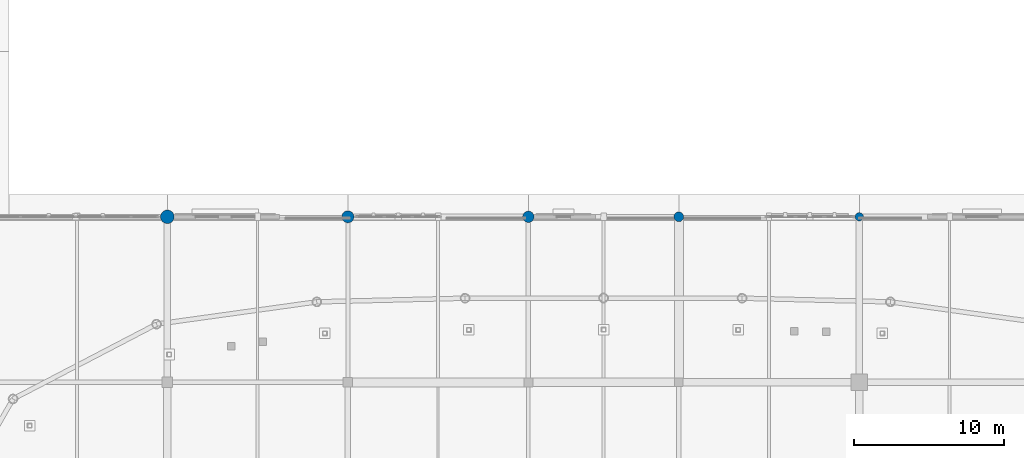
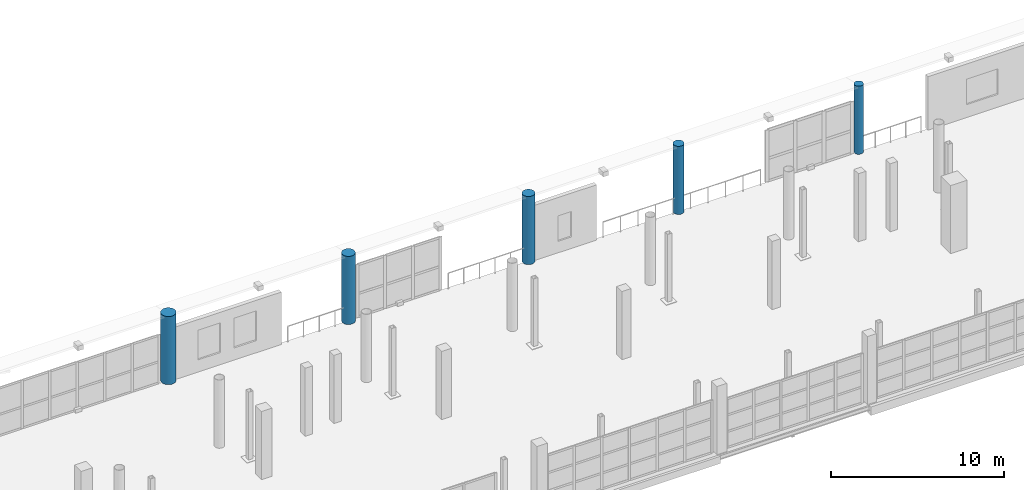
# One storey, part 13 of 143: 5 columns.
"""IFC4 building model written with IfcOpenShell, lengths in metres."""

from ifc_helpers import new_model, si_unit, direction, frame, origin, origin_2d, place, context, subcontext, project, spatial, circle, extrude, material, material_profile, profile_set, type_object, element, save


model = new_model("IFC4")

# Units and contexts
model_context = context("Model", 3, precision=1e-05, world=origin(), true_north=direction((0.0, 1.0)))
body_context = subcontext(model_context, "Body", "Model", "MODEL_VIEW")
ifc_project = project(units=[si_unit("LENGTHUNIT", "METRE"), si_unit("AREAUNIT", "SQUARE_METRE"), si_unit("VOLUMEUNIT", "CUBIC_METRE"), si_unit("PLANEANGLEUNIT", "RADIAN"), si_unit("MASSUNIT", "GRAM", prefix="KILO")], contexts=[model_context])

# Site, building, storey
site_placement = place(None, origin())
site = spatial("IfcSite", under=ifc_project, at=site_placement, CompositionType="ELEMENT")
building_placement = place(site_placement, origin())
building = spatial("IfcBuilding", under=site, at=building_placement, Name="Luwafu Chhajja Arena", CompositionType="ELEMENT")
storey_placement = place(building_placement, frame((0.0, 0.0, 5.39990234375)))
storey = spatial("IfcBuildingStorey", under=building, at=storey_placement, Name="L01", CompositionType="ELEMENT", Elevation=5.39990234375)

# Columns
ifc_material_1 = material(Name="Concrete C35/45", Category="concrete")
ifc_material_profile_1 = material_profile(ifc_material_1, circle(Radius=0.375, at=origin_2d()), Name="RC COL D750")
ifc_profile_set_1 = profile_set([ifc_material_profile_1], Name="Concrete C35/45")
column_type_1 = type_object("IfcColumnType", Name="Charbagh Cloister Pier D750", PredefinedType="COLUMN", material=ifc_profile_set_1)
column_1_placement = place(storey_placement, frame((94.0, 99.0, 0.0), z_axis=(0.0, 0.0, 1.0), x_axis=(1.0, 0.0, 0.0)))
element("IfcColumn", 1, at=column_1_placement, inside=storey, type_object=column_type_1, Name="L01 Grid Column 9/K", PredefinedType="COLUMN", context=body_context, shape_type="SweptSolid", body=[
    extrude(circle(Radius=0.375, at=origin_2d()), origin(), (0.0, 0.0, 1.0), 4.800048828125),
])
ifc_material_profile_2 = material_profile(ifc_material_1, circle(Radius=0.324951171875, at=origin_2d()), Name="RC COL D650")
ifc_profile_set_2 = profile_set([ifc_material_profile_2], Name="Concrete C35/45")
column_type_2 = type_object("IfcColumnType", Name="Courtyard Arcade Pier D650", PredefinedType="COLUMN", material=ifc_profile_set_2)
column_2_placement = place(storey_placement, frame((104.0, 99.0, 0.0), z_axis=(0.0, 0.0, 1.0), x_axis=(1.0, 0.0, 0.0)))
element("IfcColumn", 2, at=column_2_placement, inside=storey, type_object=column_type_2, Name="L01 Grid Column 10/K", PredefinedType="COLUMN", context=body_context, shape_type="SweptSolid", body=[
    extrude(circle(Radius=0.324951171875, at=origin_2d()), origin(), (0.0, 0.0, 1.0), 4.800048828125),
])
ifc_material_2 = material(Name="Concrete C40/50", Category="concrete")
ifc_material_profile_3 = material_profile(ifc_material_2, circle(Radius=0.39990234375, at=origin_2d()), Name="RC COL D800")
ifc_profile_set_3 = profile_set([ifc_material_profile_3], Name="Concrete C40/50")
column_type_3 = type_object("IfcColumnType", Name="Foyer Rotunda Pier D800", PredefinedType="COLUMN", material=ifc_profile_set_3)
column_3_placement = place(storey_placement, frame((82.0, 99.0, 0.0), z_axis=(0.0, 0.0, 1.0), x_axis=(1.0, 0.0, 0.0)))
element("IfcColumn", 3, at=column_3_placement, inside=storey, type_object=column_type_3, Name="L01 Grid Column 8/K", PredefinedType="COLUMN", context=body_context, shape_type="SweptSolid", body=[
    extrude(circle(Radius=0.39990234375, at=origin_2d()), origin(), (0.0, 0.0, 1.0), 4.800048828125),
])
ifc_material_profile_4 = material_profile(ifc_material_2, circle(Radius=0.449951171875, at=origin_2d()), Name="RC COL D900")
ifc_profile_set_4 = profile_set([ifc_material_profile_4], Name="Concrete C40/50")
column_type_4 = type_object("IfcColumnType", Name="Mughal Colonnade Drum Pier D900", PredefinedType="COLUMN", material=ifc_profile_set_4)
column_4_placement = place(storey_placement, frame((70.0, 99.0, 0.0), z_axis=(0.0, 0.0, 1.0), x_axis=(1.0, 0.0, 0.0)))
element("IfcColumn", 4, at=column_4_placement, inside=storey, type_object=column_type_4, Name="L01 Grid Column 7/K", PredefinedType="COLUMN", context=body_context, shape_type="SweptSolid", body=[
    extrude(circle(Radius=0.449951171875, at=origin_2d()), origin(), (0.0, 0.0, 1.0), 4.800048828125),
])
ifc_material_profile_5 = material_profile(ifc_material_1, circle(Radius=0.27490234375, at=origin_2d()), Name="RC COL D550")
ifc_profile_set_5 = profile_set([ifc_material_profile_5], Name="Concrete C35/45")
column_type_5 = type_object("IfcColumnType", Name="Terrace Loggia Pier D550", PredefinedType="COLUMN", material=ifc_profile_set_5)
column_5_placement = place(storey_placement, frame((116.0, 99.0, 0.0), z_axis=(0.0, 0.0, 1.0), x_axis=(1.0, 0.0, 0.0)))
element("IfcColumn", 5, at=column_5_placement, inside=storey, type_object=column_type_5, Name="L01 Grid Column 11/K", PredefinedType="COLUMN", context=body_context, shape_type="SweptSolid", body=[
    extrude(circle(Radius=0.27490234375, at=origin_2d()), origin(), (0.0, 0.0, 1.0), 4.800048828125),
])

save(model, "model.ifc")
